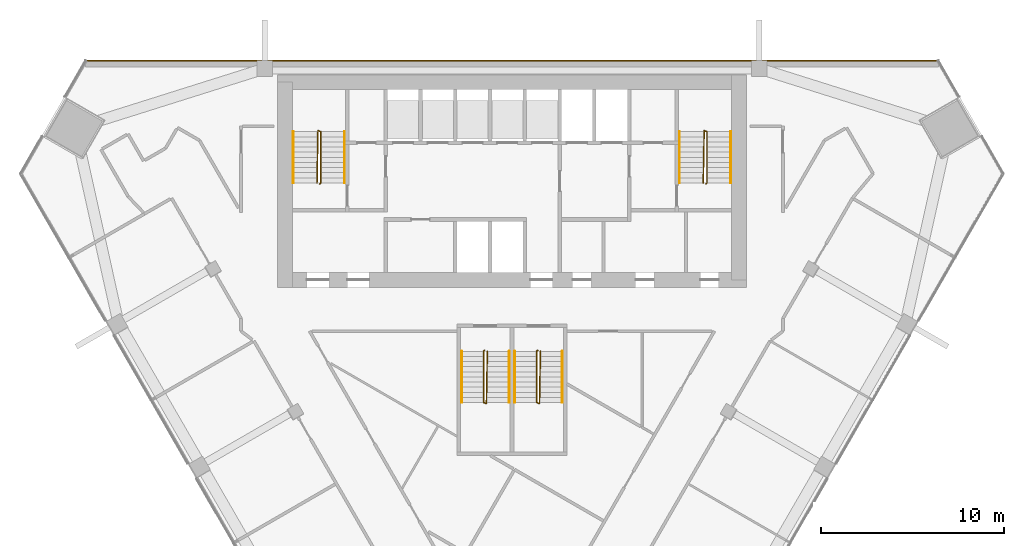
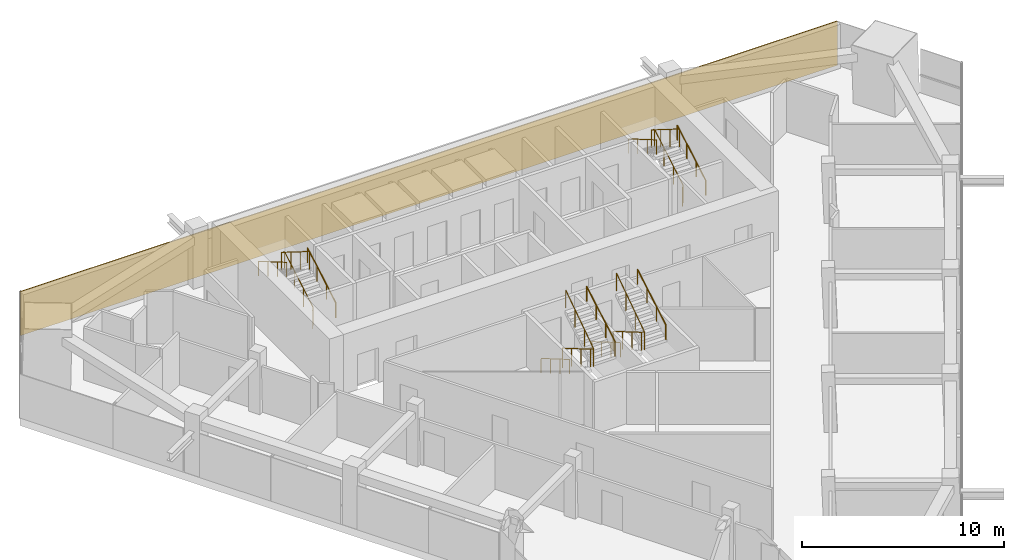
# One storey, part 12 of 13: 12 railings, 1 covering.
"""IFC4 building model written with IfcOpenShell, lengths in metres."""

from ifc_helpers import new_model, si_unit, direction, frame, frame_2d, origin, origin_2d, place, context, subcontext, project, spatial, rectangle, circle, extrude, material, layer, layer_set, type_object, element, save


model = new_model("IFC4")

# Units and contexts
model_context = context("Model", 3, precision=1e-05, world=origin(), true_north=direction((0.0, 1.0)))
body_context = subcontext(model_context, "Body", "Model", "MODEL_VIEW")
ifc_project = project(units=[si_unit("LENGTHUNIT", "METRE"), si_unit("AREAUNIT", "SQUARE_METRE"), si_unit("VOLUMEUNIT", "CUBIC_METRE"), si_unit("PLANEANGLEUNIT", "RADIAN"), si_unit("MASSUNIT", "GRAM", prefix="KILO")], contexts=[model_context])

# Site, building, storey
site_placement = place(None, origin())
site = spatial("IfcSite", under=ifc_project, at=site_placement, CompositionType="ELEMENT")
building_placement = place(site_placement, origin())
building = spatial("IfcBuilding", under=site, at=building_placement, Name="Altiplano Prism Tower", CompositionType="ELEMENT")
storey_placement = place(building_placement, frame((0.0, 0.0, 160.199951171875)))
storey = spatial("IfcBuildingStorey", under=building, at=storey_placement, Name="L41", CompositionType="ELEMENT", Elevation=160.199951171875)

# Railings
ifc_material_1 = material(Name="Steel S355", Category="steel")
railing_type_1 = type_object("IfcRailingType", Name="Stair guard 1100", PredefinedType="GUARDRAIL", material=ifc_material_1)
railing_1_placement = place(storey_placement, frame((74.5, 98.25, 0.0)))
element("IfcRailing", 1, at=railing_1_placement, inside=storey, type_object=railing_type_1, Name="L41 ST1 stair guard 1", PredefinedType="GUARDRAIL", context=body_context, shape_type="SweptSolid", body=[
    extrude(circle(Radius=0.02392578125, at=origin_2d()), frame((0.0, 0.0, 1.076171875), z_axis=(0.280808744504, 0.280808744504, 0.917765164963), x_axis=(-0.707106781187, 0.707106781187, 0.0)), (0.0, 0.0, 1.0), 0.17822265625),
    extrude(circle(Radius=0.02392578125, at=origin_2d()), frame((0.050048828125, 0.050048828125, 1.23974609375), z_axis=(0.0, 0.863360870873, 0.504586966384), x_axis=(-1.0, 0.0, 0.0)), (0.0, 0.0, 1.0), 3.2431640625),
    extrude(circle(Radius=0.02392578125, at=origin_2d()), frame((0.050048828125, 2.85009765625, 2.8759765625), z_axis=(-0.949145278916, 0.314838433982, 0.0), x_axis=(-0.314838433982, -0.949145278916, 0.0)), (0.0, 0.0, 1.0), 0.158203125),
    extrude(circle(Radius=0.02392578125, at=origin_2d()), frame((-0.10009765625, 2.89990234375, 2.8759765625), z_axis=(-0.01477401265, -0.845377694409, 0.533964682676), x_axis=(0.999847325713, -0.01747355902, 0.0)), (0.0, 0.0, 1.0), 3.37109375),
    extrude(circle(Radius=0.02099609375, at=origin_2d()), origin(), (0.0, 0.0, 1.0), 1.052001953125),
    extrude(circle(Radius=0.02099609375, at=origin_2d()), frame((0.050048828125, 0.050048828125, 0.16357421875)), (0.0, 0.0, 1.0), 1.052001953125),
    extrude(circle(Radius=0.02099609375, at=origin_2d()), frame((0.050048828125, 0.9833984375, 0.708984375)), (0.0, 0.0, 1.0), 1.052001953125),
    extrude(circle(Radius=0.02099609375, at=origin_2d()), frame((0.050048828125, 1.916748046875, 1.254638671875)), (0.0, 0.0, 1.0), 1.052001953125),
    extrude(circle(Radius=0.02099609375, at=origin_2d()), frame((0.050048828125, 2.85009765625, 1.800048828125)), (0.0, 0.0, 1.0), 1.052001953125),
    extrude(circle(Radius=0.02099609375, at=origin_2d()), frame((-0.10009765625, 2.89990234375, 1.800048828125)), (0.0, 0.0, 1.0), 1.052001953125),
    extrude(circle(Radius=0.02099609375, at=origin_2d()), frame((-0.11669921875, 1.949951171875, 2.400146484375)), (0.0, 0.0, 1.0), 1.052001953125),
    extrude(circle(Radius=0.02099609375, at=origin_2d()), frame((-0.13330078125, 1.0, 3.0)), (0.0, 0.0, 1.0), 1.052001953125),
    extrude(circle(Radius=0.02099609375, at=origin_2d()), frame((-0.14990234375, 0.050048828125, 3.60009765625)), (0.0, 0.0, 1.0), 1.052001953125),
])
railing_2_placement = place(storey_placement, frame((95.60009765625, 98.25, 0.0)))
element("IfcRailing", 2, at=railing_2_placement, inside=storey, type_object=railing_type_1, Name="L41 ST2 stair guard 1", PredefinedType="GUARDRAIL", context=body_context, shape_type="SweptSolid", body=[
    extrude(circle(Radius=0.02392578125, at=origin_2d()), frame((0.0, 0.0, 1.076171875), z_axis=(0.279546231943, 0.280916556609, 0.91811752648), x_axis=(-0.708833529934, 0.705375805398, 0.0)), (0.0, 0.0, 1.0), 0.17822265625),
    extrude(circle(Radius=0.02392578125, at=origin_2d()), frame((0.0498046875, 0.050048828125, 1.23974609375), z_axis=(0.0, 0.863360870873, 0.504586966384), x_axis=(-1.0, 0.0, 0.0)), (0.0, 0.0, 1.0), 3.2431640625),
    extrude(circle(Radius=0.02392578125, at=origin_2d()), frame((0.0498046875, 2.85009765625, 2.8759765625), z_axis=(-0.948991962702, 0.315300261223, 0.0), x_axis=(-0.315300261223, -0.948991962702, 0.0)), (0.0, 0.0, 1.0), 0.157958984375),
    extrude(circle(Radius=0.02392578125, at=origin_2d()), frame((-0.10009765625, 2.89990234375, 2.8759765625), z_axis=(-0.014846418356, -0.845376787675, 0.533964109957), x_axis=(0.999845825584, -0.017559187376, 0.0)), (0.0, 0.0, 1.0), 3.37109375),
    extrude(circle(Radius=0.02099609375, at=origin_2d()), origin(), (0.0, 0.0, 1.0), 1.052001953125),
    extrude(circle(Radius=0.02099609375, at=origin_2d()), frame((0.0498046875, 0.050048828125, 0.16357421875)), (0.0, 0.0, 1.0), 1.052001953125),
    extrude(circle(Radius=0.02099609375, at=origin_2d()), frame((0.0498046875, 0.9833984375, 0.708984375)), (0.0, 0.0, 1.0), 1.052001953125),
    extrude(circle(Radius=0.02099609375, at=origin_2d()), frame((0.0498046875, 1.916748046875, 1.254638671875)), (0.0, 0.0, 1.0), 1.052001953125),
    extrude(circle(Radius=0.02099609375, at=origin_2d()), frame((0.0498046875, 2.85009765625, 1.800048828125)), (0.0, 0.0, 1.0), 1.052001953125),
    extrude(circle(Radius=0.02099609375, at=origin_2d()), frame((-0.10009765625, 2.89990234375, 1.800048828125)), (0.0, 0.0, 1.0), 1.052001953125),
    extrude(circle(Radius=0.02099609375, at=origin_2d()), frame((-0.11669921875, 1.949951171875, 2.400146484375)), (0.0, 0.0, 1.0), 1.052001953125),
    extrude(circle(Radius=0.02099609375, at=origin_2d()), frame((-0.133544921875, 1.0, 3.0)), (0.0, 0.0, 1.0), 1.052001953125),
    extrude(circle(Radius=0.02099609375, at=origin_2d()), frame((-0.150146484375, 0.050048828125, 3.60009765625)), (0.0, 0.0, 1.0), 1.052001953125),
])
railing_3_placement = place(storey_placement, frame((83.5, 89.14990234375, 0.0)))
element("IfcRailing", 3, at=railing_3_placement, inside=storey, type_object=railing_type_1, Name="L41 ST3A stair guard 1", PredefinedType="GUARDRAIL", context=body_context, shape_type="SweptSolid", body=[
    extrude(circle(Radius=0.02392578125, at=origin_2d()), frame((0.0, 0.0, 1.076171875), z_axis=(-0.280916556609, -0.279546231943, 0.91811752648), x_axis=(0.705375805398, -0.708833529934, 0.0)), (0.0, 0.0, 1.0), 0.17822265625),
    extrude(circle(Radius=0.02392578125, at=origin_2d()), frame((-0.050048828125, -0.0498046875, 1.23974609375), z_axis=(0.0, -0.863360870873, 0.504586966384), x_axis=(1.0, 0.0, 0.0)), (0.0, 0.0, 1.0), 3.2431640625),
    extrude(circle(Radius=0.02392578125, at=origin_2d()), frame((-0.050048828125, -2.849853515625, 2.8759765625), z_axis=(0.948683298051, -0.316227766017, 0.0), x_axis=(0.316227766017, 0.948683298051, 0.0)), (0.0, 0.0, 1.0), 0.158203125),
    extrude(circle(Radius=0.02392578125, at=origin_2d()), frame((0.10009765625, -2.89990234375, 2.8759765625), z_axis=(0.014773108175, 0.84539835705, 0.533931993021), x_axis=(-0.999847351862, 0.017472062685, 0.0)), (0.0, 0.0, 1.0), 3.371337890625),
    extrude(circle(Radius=0.02099609375, at=origin_2d()), origin(), (0.0, 0.0, 1.0), 1.052001953125),
    extrude(circle(Radius=0.02099609375, at=origin_2d()), frame((-0.050048828125, -0.0498046875, 0.16357421875)), (0.0, 0.0, 1.0), 1.052001953125),
    extrude(circle(Radius=0.02099609375, at=origin_2d()), frame((-0.050048828125, -0.983154296875, 0.708984375)), (0.0, 0.0, 1.0), 1.052001953125),
    extrude(circle(Radius=0.02099609375, at=origin_2d()), frame((-0.050048828125, -1.91650390625, 1.254638671875)), (0.0, 0.0, 1.0), 1.052001953125),
    extrude(circle(Radius=0.02099609375, at=origin_2d()), frame((-0.050048828125, -2.849853515625, 1.800048828125)), (0.0, 0.0, 1.0), 1.052001953125),
    extrude(circle(Radius=0.02099609375, at=origin_2d()), frame((0.10009765625, -2.89990234375, 1.800048828125)), (0.0, 0.0, 1.0), 1.052001953125),
    extrude(circle(Radius=0.02099609375, at=origin_2d()), frame((0.11669921875, -1.949951171875, 2.400146484375)), (0.0, 0.0, 1.0), 1.052001953125),
    extrude(circle(Radius=0.02099609375, at=origin_2d()), frame((0.13330078125, -0.999755859375, 3.0)), (0.0, 0.0, 1.0), 1.052001953125),
    extrude(circle(Radius=0.02099609375, at=origin_2d()), frame((0.14990234375, -0.0498046875, 3.60009765625)), (0.0, 0.0, 1.0), 1.052001953125),
])
railing_4_placement = place(storey_placement, frame((86.39990234375, 89.14990234375, 0.0)))
element("IfcRailing", 4, at=railing_4_placement, inside=storey, type_object=railing_type_1, Name="L41 ST3B stair guard 1", PredefinedType="GUARDRAIL", context=body_context, shape_type="SweptSolid", body=[
    extrude(circle(Radius=0.02392578125, at=origin_2d()), frame((0.0, 0.0, 1.076171875), z_axis=(-0.279653641804, -0.279653641804, 0.918470294159), x_axis=(0.707106781187, -0.707106781187, 0.0)), (0.0, 0.0, 1.0), 0.177978515625),
    extrude(circle(Radius=0.02392578125, at=origin_2d()), frame((-0.0498046875, -0.0498046875, 1.23974609375), z_axis=(0.0, -0.863360870873, 0.504586966384), x_axis=(1.0, 0.0, 0.0)), (0.0, 0.0, 1.0), 3.2431640625),
    extrude(circle(Radius=0.02392578125, at=origin_2d()), frame((-0.0498046875, -2.849853515625, 2.8759765625), z_axis=(0.948528701346, -0.316691178788, 0.0), x_axis=(0.316691178788, 0.948528701346, 0.0)), (0.0, 0.0, 1.0), 0.157958984375),
    extrude(circle(Radius=0.02392578125, at=origin_2d()), frame((0.10009765625, -2.89990234375, 2.8759765625), z_axis=(0.014845509451, 0.845397450405, 0.533931420407), x_axis=(-0.999845851991, 0.017557683712, 0.0)), (0.0, 0.0, 1.0), 3.371337890625),
    extrude(circle(Radius=0.02099609375, at=origin_2d()), origin(), (0.0, 0.0, 1.0), 1.052001953125),
    extrude(circle(Radius=0.02099609375, at=origin_2d()), frame((-0.0498046875, -0.0498046875, 0.16357421875)), (0.0, 0.0, 1.0), 1.052001953125),
    extrude(circle(Radius=0.02099609375, at=origin_2d()), frame((-0.0498046875, -0.983154296875, 0.708984375)), (0.0, 0.0, 1.0), 1.052001953125),
    extrude(circle(Radius=0.02099609375, at=origin_2d()), frame((-0.0498046875, -1.91650390625, 1.254638671875)), (0.0, 0.0, 1.0), 1.052001953125),
    extrude(circle(Radius=0.02099609375, at=origin_2d()), frame((-0.0498046875, -2.849853515625, 1.800048828125)), (0.0, 0.0, 1.0), 1.052001953125),
    extrude(circle(Radius=0.02099609375, at=origin_2d()), frame((0.10009765625, -2.89990234375, 1.800048828125)), (0.0, 0.0, 1.0), 1.052001953125),
    extrude(circle(Radius=0.02099609375, at=origin_2d()), frame((0.11669921875, -1.949951171875, 2.400146484375)), (0.0, 0.0, 1.0), 1.052001953125),
    extrude(circle(Radius=0.02099609375, at=origin_2d()), frame((0.133544921875, -0.999755859375, 3.0)), (0.0, 0.0, 1.0), 1.052001953125),
    extrude(circle(Radius=0.02099609375, at=origin_2d()), frame((0.150146484375, -0.0498046875, 3.60009765625)), (0.0, 0.0, 1.0), 1.052001953125),
])
railing_type_2 = type_object("IfcRailingType", Name="Stair handrail 900", PredefinedType="HANDRAIL", material=ifc_material_1)
railing_5_placement = place(storey_placement, frame((75.85009765625, 98.300048828125, 0.16357421875)))
element("IfcRailing", 5, at=railing_5_placement, inside=storey, type_object=railing_type_2, Name="L41 ST1 stair handrail 1", PredefinedType="HANDRAIL", context=body_context, shape_type="SweptSolid", body=[
    extrude(circle(Radius=0.02392578125, at=origin_2d()), frame((0.0, 0.0, 0.8759765625), z_axis=(0.0, 0.863360870873, 0.504586966384), x_axis=(-1.0, 0.0, 0.0)), (0.0, 0.0, 1.0), 3.2431640625),
    extrude(circle(Radius=0.02099609375, at=origin_2d()), origin(), (0.0, 0.0, 1.0), 0.851806640625),
    extrude(circle(Radius=0.02099609375, at=origin_2d()), frame((0.0, 0.933349609375, 0.54541015625)), (0.0, 0.0, 1.0), 0.851806640625),
    extrude(circle(Radius=0.02099609375, at=origin_2d()), frame((0.0, 1.86669921875, 1.091064453125)), (0.0, 0.0, 1.0), 0.851806640625),
    extrude(circle(Radius=0.02099609375, at=origin_2d()), frame((0.0, 2.800048828125, 1.636474609375)), (0.0, 0.0, 1.0), 0.851806640625),
])
railing_6_placement = place(storey_placement, frame((73.050048828125, 101.10009765625, 1.963623046875)))
element("IfcRailing", 6, at=railing_6_placement, inside=storey, type_object=railing_type_2, Name="L41 ST1 stair handrail 2", PredefinedType="HANDRAIL", context=body_context, shape_type="SweptSolid", body=[
    extrude(circle(Radius=0.02392578125, at=origin_2d()), frame((0.0, 0.0, 0.8759765625), z_axis=(0.0, -0.863360870873, 0.504586966384), x_axis=(1.0, 0.0, 0.0)), (0.0, 0.0, 1.0), 3.2431640625),
    extrude(circle(Radius=0.02099609375, at=origin_2d()), origin(), (0.0, 0.0, 1.0), 0.851806640625),
    extrude(circle(Radius=0.02099609375, at=origin_2d()), frame((0.0, -0.933349609375, 0.54541015625)), (0.0, 0.0, 1.0), 0.851806640625),
    extrude(circle(Radius=0.02099609375, at=origin_2d()), frame((0.0, -1.86669921875, 1.091064453125)), (0.0, 0.0, 1.0), 0.851806640625),
    extrude(circle(Radius=0.02099609375, at=origin_2d()), frame((0.0, -2.800048828125, 1.636474609375)), (0.0, 0.0, 1.0), 0.851806640625),
])
railing_7_placement = place(storey_placement, frame((96.949951171875, 98.300048828125, 0.16357421875)))
element("IfcRailing", 7, at=railing_7_placement, inside=storey, type_object=railing_type_2, Name="L41 ST2 stair handrail 1", PredefinedType="HANDRAIL", context=body_context, shape_type="SweptSolid", body=[
    extrude(circle(Radius=0.02392578125, at=origin_2d()), frame((0.0, 0.0, 0.8759765625), z_axis=(0.0, 0.863360870873, 0.504586966384), x_axis=(-1.0, 0.0, 0.0)), (0.0, 0.0, 1.0), 3.2431640625),
    extrude(circle(Radius=0.02099609375, at=origin_2d()), origin(), (0.0, 0.0, 1.0), 0.851806640625),
    extrude(circle(Radius=0.02099609375, at=origin_2d()), frame((0.0, 0.933349609375, 0.54541015625)), (0.0, 0.0, 1.0), 0.851806640625),
    extrude(circle(Radius=0.02099609375, at=origin_2d()), frame((0.0, 1.86669921875, 1.091064453125)), (0.0, 0.0, 1.0), 0.851806640625),
    extrude(circle(Radius=0.02099609375, at=origin_2d()), frame((0.0, 2.800048828125, 1.636474609375)), (0.0, 0.0, 1.0), 0.851806640625),
])
for number, where, name in (
    (8, (94.14990234375, 101.10009765625, 1.963623046875), "L41 ST2 stair handrail 2"),
    (9, (82.25, 89.10009765625, 0.16357421875), "L41 ST3A stair handrail 1"),
):
    element("IfcRailing", number, at=place(storey_placement, frame(where)), inside=storey, type_object=railing_type_2, Name=name, PredefinedType="HANDRAIL", context=body_context, shape_type="SweptSolid", body=[
        extrude(circle(Radius=0.02392578125, at=origin_2d()), frame((0.0, 0.0, 0.8759765625), z_axis=(0.0, -0.863360870873, 0.504586966384), x_axis=(1.0, 0.0, 0.0)), (0.0, 0.0, 1.0), 3.2431640625),
        extrude(circle(Radius=0.02099609375, at=origin_2d()), origin(), (0.0, 0.0, 1.0), 0.851806640625),
        extrude(circle(Radius=0.02099609375, at=origin_2d()), frame((0.0, -0.933349609375, 0.54541015625)), (0.0, 0.0, 1.0), 0.851806640625),
        extrude(circle(Radius=0.02099609375, at=origin_2d()), frame((0.0, -1.86669921875, 1.091064453125)), (0.0, 0.0, 1.0), 0.851806640625),
        extrude(circle(Radius=0.02099609375, at=origin_2d()), frame((0.0, -2.800048828125, 1.636474609375)), (0.0, 0.0, 1.0), 0.851806640625),
    ])
railing_8_placement = place(storey_placement, frame((84.85009765625, 86.300048828125, 1.963623046875)))
element("IfcRailing", 10, at=railing_8_placement, inside=storey, type_object=railing_type_2, Name="L41 ST3A stair handrail 2", PredefinedType="HANDRAIL", context=body_context, shape_type="SweptSolid", body=[
    extrude(circle(Radius=0.02392578125, at=origin_2d()), frame((0.0, 0.0, 0.8759765625), z_axis=(0.0, 0.863360870873, 0.504586966384), x_axis=(-1.0, 0.0, 0.0)), (0.0, 0.0, 1.0), 3.2431640625),
    extrude(circle(Radius=0.02099609375, at=origin_2d()), origin(), (0.0, 0.0, 1.0), 0.851806640625),
    extrude(circle(Radius=0.02099609375, at=origin_2d()), frame((0.0, 0.933349609375, 0.54541015625)), (0.0, 0.0, 1.0), 0.851806640625),
    extrude(circle(Radius=0.02099609375, at=origin_2d()), frame((0.0, 1.86669921875, 1.091064453125)), (0.0, 0.0, 1.0), 0.851806640625),
    extrude(circle(Radius=0.02099609375, at=origin_2d()), frame((0.0, 2.800048828125, 1.636474609375)), (0.0, 0.0, 1.0), 0.851806640625),
])
railing_9_placement = place(storey_placement, frame((85.14990234375, 89.10009765625, 0.16357421875)))
element("IfcRailing", 11, at=railing_9_placement, inside=storey, type_object=railing_type_2, Name="L41 ST3B stair handrail 1", PredefinedType="HANDRAIL", context=body_context, shape_type="SweptSolid", body=[
    extrude(circle(Radius=0.02392578125, at=origin_2d()), frame((0.0, 0.0, 0.8759765625), z_axis=(0.0, -0.863360870873, 0.504586966384), x_axis=(1.0, 0.0, 0.0)), (0.0, 0.0, 1.0), 3.2431640625),
    extrude(circle(Radius=0.02099609375, at=origin_2d()), origin(), (0.0, 0.0, 1.0), 0.851806640625),
    extrude(circle(Radius=0.02099609375, at=origin_2d()), frame((0.0, -0.933349609375, 0.54541015625)), (0.0, 0.0, 1.0), 0.851806640625),
    extrude(circle(Radius=0.02099609375, at=origin_2d()), frame((0.0, -1.86669921875, 1.091064453125)), (0.0, 0.0, 1.0), 0.851806640625),
    extrude(circle(Radius=0.02099609375, at=origin_2d()), frame((0.0, -2.800048828125, 1.636474609375)), (0.0, 0.0, 1.0), 0.851806640625),
])
railing_10_placement = place(storey_placement, frame((87.75, 86.300048828125, 1.963623046875)))
element("IfcRailing", 12, at=railing_10_placement, inside=storey, type_object=railing_type_2, Name="L41 ST3B stair handrail 2", PredefinedType="HANDRAIL", context=body_context, shape_type="SweptSolid", body=[
    extrude(circle(Radius=0.02392578125, at=origin_2d()), frame((0.0, 0.0, 0.8759765625), z_axis=(0.0, 0.863360870873, 0.504586966384), x_axis=(-1.0, 0.0, 0.0)), (0.0, 0.0, 1.0), 3.2431640625),
    extrude(circle(Radius=0.02099609375, at=origin_2d()), origin(), (0.0, 0.0, 1.0), 0.851806640625),
    extrude(circle(Radius=0.02099609375, at=origin_2d()), frame((0.0, 0.933349609375, 0.54541015625)), (0.0, 0.0, 1.0), 0.851806640625),
    extrude(circle(Radius=0.02099609375, at=origin_2d()), frame((0.0, 1.86669921875, 1.091064453125)), (0.0, 0.0, 1.0), 0.851806640625),
    extrude(circle(Radius=0.02099609375, at=origin_2d()), frame((0.0, 2.800048828125, 1.636474609375)), (0.0, 0.0, 1.0), 0.851806640625),
])

# Covering
ifc_material_2 = material(Name="Warm limestone cast stone", Category="masonry")
ifc_layer = layer(ifc_material_2, 0.06005859375)
ifc_layer_set = layer_set([ifc_layer], Name="Warm limestone cast stone")
covering_type = type_object("IfcCoveringType", Name="Stone cladding 60", PredefinedType="CLADDING", material=ifc_layer_set)
covering_placement = place(storey_placement, frame((61.6982421875, 104.969970703125, 0.0), z_axis=(0.0, 0.0, 1.0), x_axis=(1.0, 0.0, 0.0)))
element("IfcCovering", 13, at=covering_placement, inside=storey, type_object=covering_type, Name="Stone cladding north face L41", PredefinedType="CLADDING", context=body_context, shape_type="SweptSolid", body=[
    extrude(rectangle(XDim=46.603515625, YDim=0.06005859375, at=frame_2d((23.3017578125, 0.0))), origin(), (0.0, 0.0, 1.0), 2.650146484375),
])

save(model, "model.ifc")
